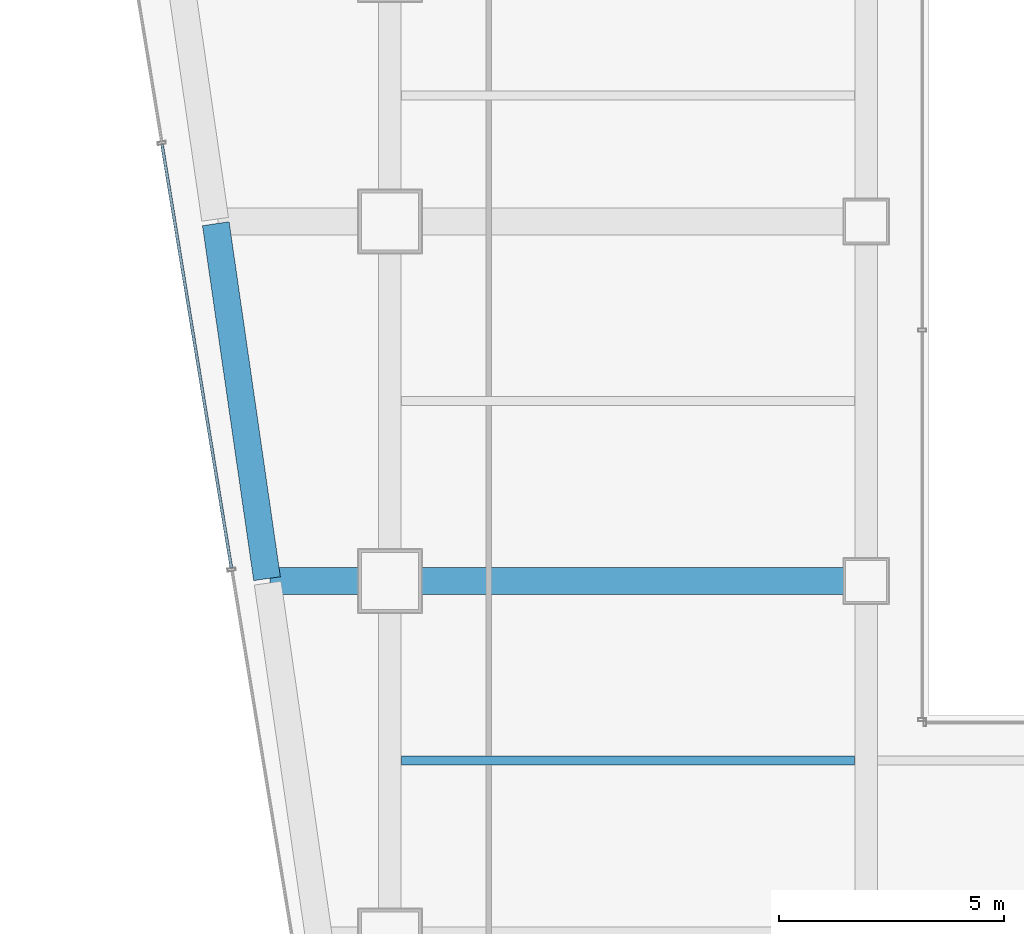
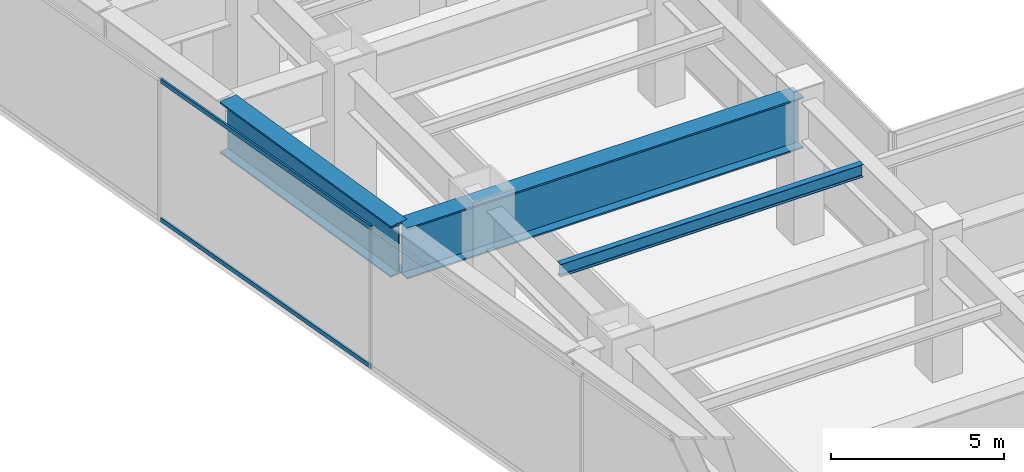
# One storey, part 12 of 42: 3 beams, 2 members, 1 element without a shape of its own.
"""IFC4 building model written with IfcOpenShell, lengths in metres."""

from ifc_helpers import new_model, si_unit, direction, frame, origin, origin_2d, place, context, subcontext, project, spatial, hollow_rectangle, i_section, extrude, material, material_profile, profile_set, type_object, element, aggregate, save


model = new_model("IFC4")

# Units and contexts
model_context = context("Model", 3, precision=1e-05, world=origin(), true_north=direction((0.0, 1.0)))
body_context = subcontext(model_context, "Body", "Model", "MODEL_VIEW")
ifc_project = project(units=[si_unit("LENGTHUNIT", "METRE"), si_unit("AREAUNIT", "SQUARE_METRE"), si_unit("VOLUMEUNIT", "CUBIC_METRE"), si_unit("PLANEANGLEUNIT", "RADIAN"), si_unit("MASSUNIT", "GRAM", prefix="KILO")], contexts=[model_context])

# Site, building, storey
site_placement = place(None, origin())
site = spatial("IfcSite", under=ifc_project, at=site_placement, CompositionType="ELEMENT")
building_placement = place(site_placement, origin())
building = spatial("IfcBuilding", under=site, at=building_placement, Name="Saevonmaru Cultural Tower", CompositionType="ELEMENT")
storey_placement = place(building_placement, frame((0.0, 0.0, 33.0)))
storey = spatial("IfcBuildingStorey", under=building, at=storey_placement, Name="L06", CompositionType="ELEMENT", Elevation=33.0)

# Beams
ifc_material_1 = material(Name="Steel SM355", Category="steel")
ifc_material_profile_1 = material_profile(ifc_material_1, i_section(OverallWidth=0.199951171875, OverallDepth=0.449951171875, WebThickness=0.009033203125, FlangeThickness=0.013916015625, FilletRadius=0.01806640625, at=origin_2d()), Name="H-450x200x9x14")
ifc_profile_set_1 = profile_set([ifc_material_profile_1], Name="Steel SM355")
beam_type_1 = type_object("IfcBeamType", Name="BM-J-H450", PredefinedType="JOIST", material=ifc_profile_set_1)
beam_1_placement = place(storey_placement, frame((12.4580078125, 20.0, 4.72509765625), z_axis=(1.0, 0.0, 0.0), x_axis=(0.0, 1.0, 0.0)))
element("IfcBeam", 1, at=beam_1_placement, inside=storey, type_object=beam_type_1, Name="L06 Secondary Floor Joist JW-2", PredefinedType="JOIST", context=body_context, shape_type="SweptSolid", body=[
    extrude(i_section(OverallWidth=0.199951171875, OverallDepth=0.449951171875, WebThickness=0.009033203125, FlangeThickness=0.013916015625, FilletRadius=0.01806640625, at=origin_2d()), origin(), (0.0, 0.0, 1.0), 10.083984375),
])
ifc_material_2 = material(Name="Steel HSA600 (600 MPa)", Category="steel")
ifc_material_profile_2 = material_profile(ifc_material_2, i_section(OverallWidth=0.60009765625, OverallDepth=1.800048828125, WebThickness=0.028076171875, FlangeThickness=0.054931640625, at=origin_2d()), Name="PG-1800x600x28x55")
ifc_profile_set_2 = profile_set([ifc_material_profile_2], Name="Steel HSA600 (600 MPa)")
beam_type_2 = type_object("IfcBeamType", Name="BM-TG-PG1800", PredefinedType="BEAM", material=ifc_profile_set_2)
beam_2_placement = place(storey_placement, frame((9.531982421875, 24.0, 4.050048828125), z_axis=(1.0, 0.0, 0.0), x_axis=(0.0, 1.0, 0.0)))
element("IfcBeam", 2, at=beam_2_placement, inside=storey, type_object=beam_type_2, Name="L06 Transfer Plate Girder W-3", PredefinedType="BEAM", context=body_context, shape_type="SweptSolid", body=[
    extrude(i_section(OverallWidth=0.60009765625, OverallDepth=1.800048828125, WebThickness=0.028076171875, FlangeThickness=0.054931640625, at=origin_2d()), origin(), (0.0, 0.0, 1.0), 13.2080078125),
])
ifc_material_profile_3 = material_profile(ifc_material_2, i_section(OverallWidth=0.60009765625, OverallDepth=1.800048828125, WebThickness=0.028076171875, FlangeThickness=0.054931640625, at=origin_2d()), Name="PG-1800x600x28x55")
ifc_profile_set_3 = profile_set([ifc_material_profile_3], Name="Steel HSA600 (600 MPa)")
beam_type_3 = type_object("IfcBeamType", Name="BM-TG-PG1800-EXT", PredefinedType="SPANDREL", material=ifc_profile_set_3)
beam_3_placement = place(storey_placement, frame((9.46484375, 24.049560546875, 4.050048828125), z_axis=(-0.142885533572, 0.989739220348, 0.0), x_axis=(-0.989739220348, -0.142885533572, 0.0)))
element("IfcBeam", 3, at=beam_3_placement, inside=storey, type_object=beam_type_3, Name="L06 Perimeter Transfer Spandrel W-4", PredefinedType="SPANDREL", context=body_context, shape_type="SweptSolid", body=[
    extrude(i_section(OverallWidth=0.60009765625, OverallDepth=1.800048828125, WebThickness=0.028076171875, FlangeThickness=0.054931640625, at=origin_2d()), origin(), (0.0, 0.0, 1.0), 7.98291015625),
])

# Curtain wall, members
ifc_material_3 = material(Name="Satin Bronze Anodised Aluminium", Category="aluminium")
curtain_wall_type = type_object("IfcCurtainWallType", Name="CW-SKY-GLZ", PredefinedType="NOTDEFINED", material=ifc_material_3)
curtain_wall_placement = place(storey_placement, origin())
curtain_wall = element("IfcCurtainWall", 4, at=curtain_wall_placement, inside=storey, type_object=curtain_wall_type, Name="L06 Unitised Curtain Wall E12", PredefinedType="NOTDEFINED")
ifc_material_profile_4 = material_profile(ifc_material_3, hollow_rectangle(XDim=0.06494140625, YDim=0.14990234375, WallThickness=0.00390625, at=origin_2d()), Name="ALU-TRAN-150x65x4")
ifc_profile_set_4 = profile_set([ifc_material_profile_4], Name="Satin Bronze Anodised Aluminium")
member_type = type_object("IfcMemberType", Name="TR-CW-150x65", PredefinedType="USERDEFINED", material=ifc_profile_set_4)
member_1_placement = place(storey_placement, frame((7.127197265625, 33.716064453125, 0.032470703125), z_axis=(0.161714267134, -0.986837623829, 0.0), x_axis=(0.986837623829, 0.161714267134, 0.0)))
member_1 = element("IfcMember", 5, at=member_1_placement, type_object=member_type, Name="CW-TW-L06-E12 transom 3.1", ObjectType="TRANSOM", PredefinedType="USERDEFINED", context=body_context, shape_type="SweptSolid", body=[
    extrude(hollow_rectangle(XDim=0.06494140625, YDim=0.14990234375, WallThickness=0.00390625, at=origin_2d()), origin(), (0.0, 0.0, 1.0), 9.557861328125),
])
member_2_placement = place(storey_placement, frame((7.127197265625, 33.716064453125, 4.91748046875), z_axis=(0.161714267134, -0.986837623829, 0.0), x_axis=(0.986837623829, 0.161714267134, 0.0)))
member_2 = element("IfcMember", 6, at=member_2_placement, type_object=member_type, Name="CW-TW-L06-E12 transom 3.2", ObjectType="TRANSOM", PredefinedType="USERDEFINED", context=body_context, shape_type="SweptSolid", body=[
    extrude(hollow_rectangle(XDim=0.06494140625, YDim=0.14990234375, WallThickness=0.00390625, at=origin_2d()), origin(), (0.0, 0.0, 1.0), 9.557861328125),
])
aggregate(curtain_wall, [member_1, member_2])

save(model, "model.ifc")
